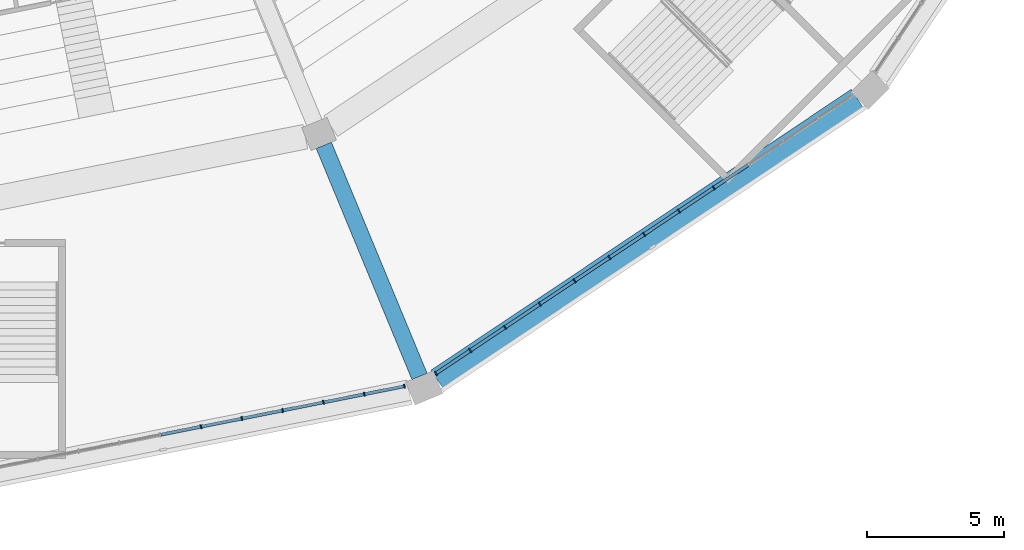
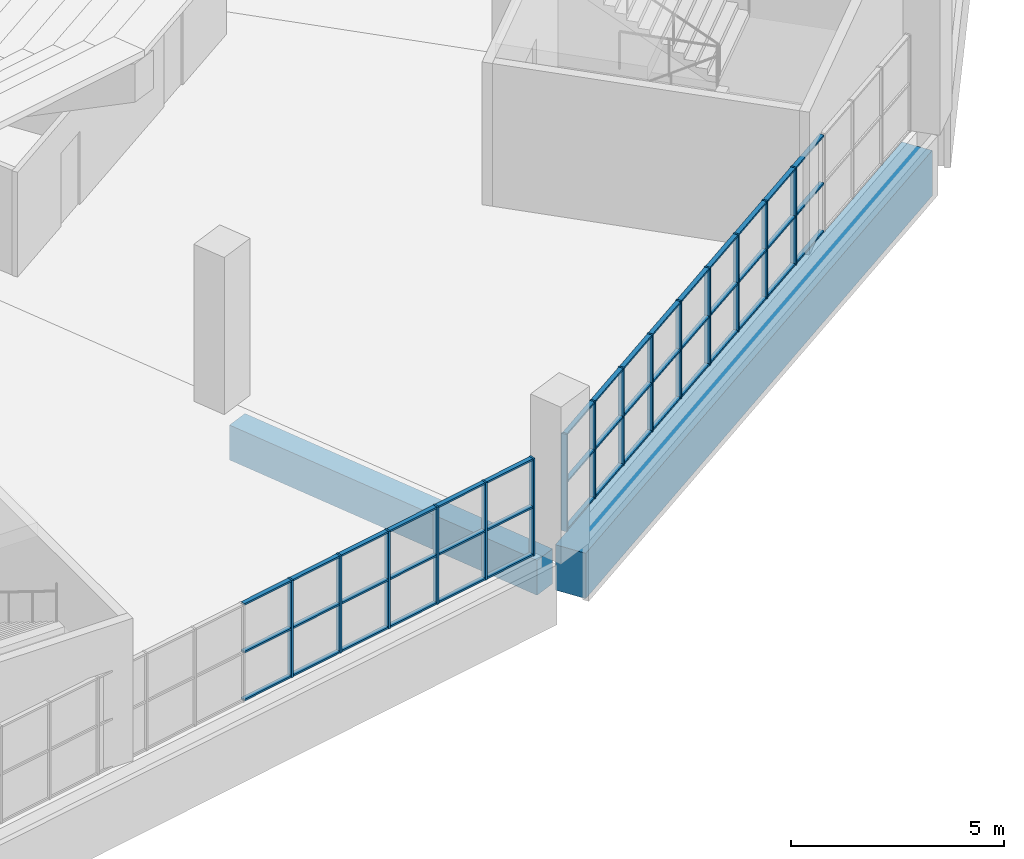
# One storey, part 26 of 249: 60 members, 2 beams, 2 elements without a shape of their own.
"""IFC4 building model written with IfcOpenShell, lengths in metres."""

from ifc_helpers import new_model, si_unit, direction, frame, origin, origin_2d, place, context, subcontext, project, spatial, rectangle, extrude, material, material_profile, profile_set, type_object, element, aggregate, save


model = new_model("IFC4")

# Units and contexts
model_context = context("Model", 3, precision=1e-05, world=origin(), true_north=direction((0.0, 1.0)))
body_context = subcontext(model_context, "Body", "Model", "MODEL_VIEW")
ifc_project = project(units=[si_unit("LENGTHUNIT", "METRE"), si_unit("AREAUNIT", "SQUARE_METRE"), si_unit("VOLUMEUNIT", "CUBIC_METRE"), si_unit("PLANEANGLEUNIT", "RADIAN"), si_unit("MASSUNIT", "GRAM", prefix="KILO")], contexts=[model_context])

# Site, building, storey
site_placement = place(None, origin())
site = spatial("IfcSite", under=ifc_project, at=site_placement, CompositionType="ELEMENT")
building_placement = place(site_placement, origin())
building = spatial("IfcBuilding", under=site, at=building_placement, Name="Ogive Plaza Stadium", CompositionType="ELEMENT")
storey_placement = place(building_placement, frame((0.0, 0.0, 13.5)))
storey = spatial("IfcBuildingStorey", under=building, at=storey_placement, Name="L03", CompositionType="ELEMENT", Elevation=13.5)

# Curtain wall, members
ifc_material_1 = material(Name="Bronze-anodised aluminium with laminated glass", Category="aluminium")
curtain_wall_type = type_object("IfcCurtainWallType", Name="Lancet curtain wall", PredefinedType="NOTDEFINED", material=ifc_material_1)
curtain_wall_1_placement = place(storey_placement, origin())
curtain_wall_1 = element("IfcCurtainWall", 1, at=curtain_wall_1_placement, inside=storey, type_object=curtain_wall_type, Name="CURTAIN WALL B10 L03", PredefinedType="NOTDEFINED")
ifc_material_2 = material(Name="Bronze-anodised aluminium", Category="aluminium")
ifc_material_profile_1 = material_profile(ifc_material_2, rectangle(XDim=0.14990234375, YDim=0.050048828125, at=origin_2d()), Name="AL 150x50")
ifc_profile_set_1 = profile_set([ifc_material_profile_1], Name="Bronze-anodised aluminium")
member_type_1 = type_object("IfcMemberType", Name="Curtain wall mullion 50x150", PredefinedType="MULLION", material=ifc_profile_set_1)
member_1_placement = place(storey_placement, frame((63.665283203125, -91.416748046875, 0.0), z_axis=(0.0, 0.0, 1.0), x_axis=(0.55557023302, -0.831469612303, 0.0)))
member_1 = element("IfcMember", 2, at=member_1_placement, type_object=member_type_1, Name="CW-B10-L03 mullion 5", PredefinedType="MULLION", context=body_context, shape_type="SweptSolid", body=[
    extrude(rectangle(XDim=0.14990234375, YDim=0.050048828125, at=origin_2d()), origin(), (0.0, 0.0, 1.0), 2.7900390625),
])
member_2_placement = place(storey_placement, frame((62.3994140625, -92.2626953125, 0.0), z_axis=(0.0, 0.0, 1.0), x_axis=(0.55557023302, -0.831469612303, 0.0)))
member_2 = element("IfcMember", 3, at=member_2_placement, type_object=member_type_1, Name="CW-B10-L03 mullion 6", PredefinedType="MULLION", context=body_context, shape_type="SweptSolid", body=[
    extrude(rectangle(XDim=0.14990234375, YDim=0.050048828125, at=origin_2d()), origin(), (0.0, 0.0, 1.0), 2.7900390625),
])
member_3_placement = place(storey_placement, frame((61.133544921875, -93.1083984375, 0.0), z_axis=(0.0, 0.0, 1.0), x_axis=(0.55557023302, -0.831469612303, 0.0)))
member_3 = element("IfcMember", 4, at=member_3_placement, type_object=member_type_1, Name="CW-B10-L03 mullion 7", PredefinedType="MULLION", context=body_context, shape_type="SweptSolid", body=[
    extrude(rectangle(XDim=0.14990234375, YDim=0.050048828125, at=origin_2d()), origin(), (0.0, 0.0, 1.0), 2.7900390625),
])
member_4_placement = place(storey_placement, frame((59.867919921875, -93.9541015625, 0.0), z_axis=(0.0, 0.0, 1.0), x_axis=(0.55557023302, -0.831469612303, 0.0)))
member_4 = element("IfcMember", 5, at=member_4_placement, type_object=member_type_1, Name="CW-B10-L03 mullion 8", PredefinedType="MULLION", context=body_context, shape_type="SweptSolid", body=[
    extrude(rectangle(XDim=0.14990234375, YDim=0.050048828125, at=origin_2d()), origin(), (0.0, 0.0, 1.0), 2.7900390625),
])
member_5_placement = place(storey_placement, frame((58.60205078125, -94.7998046875, 0.0), z_axis=(0.0, 0.0, 1.0), x_axis=(0.55557023302, -0.831469612303, 0.0)))
member_5 = element("IfcMember", 6, at=member_5_placement, type_object=member_type_1, Name="CW-B10-L03 mullion 9", PredefinedType="MULLION", context=body_context, shape_type="SweptSolid", body=[
    extrude(rectangle(XDim=0.14990234375, YDim=0.050048828125, at=origin_2d()), origin(), (0.0, 0.0, 1.0), 2.7900390625),
])
member_6_placement = place(storey_placement, frame((57.336181640625, -95.645751953125, 0.0), z_axis=(0.0, 0.0, 1.0), x_axis=(0.55557023302, -0.831469612303, 0.0)))
member_6 = element("IfcMember", 7, at=member_6_placement, type_object=member_type_1, Name="CW-B10-L03 mullion 10", PredefinedType="MULLION", context=body_context, shape_type="SweptSolid", body=[
    extrude(rectangle(XDim=0.14990234375, YDim=0.050048828125, at=origin_2d()), origin(), (0.0, 0.0, 1.0), 2.7900390625),
])
member_7_placement = place(storey_placement, frame((56.070556640625, -96.491455078125, 0.0), z_axis=(0.0, 0.0, 1.0), x_axis=(0.55557023302, -0.831469612303, 0.0)))
member_7 = element("IfcMember", 8, at=member_7_placement, type_object=member_type_1, Name="CW-B10-L03 mullion 11", PredefinedType="MULLION", context=body_context, shape_type="SweptSolid", body=[
    extrude(rectangle(XDim=0.14990234375, YDim=0.050048828125, at=origin_2d()), origin(), (0.0, 0.0, 1.0), 2.7900390625),
])
member_8_placement = place(storey_placement, frame((54.8046875, -97.337158203125, 0.0), z_axis=(0.0, 0.0, 1.0), x_axis=(0.55557023302, -0.831469612303, 0.0)))
member_8 = element("IfcMember", 9, at=member_8_placement, type_object=member_type_1, Name="CW-B10-L03 mullion 12", PredefinedType="MULLION", context=body_context, shape_type="SweptSolid", body=[
    extrude(rectangle(XDim=0.14990234375, YDim=0.050048828125, at=origin_2d()), origin(), (0.0, 0.0, 1.0), 2.7900390625),
])
member_9_placement = place(storey_placement, frame((53.559814453125, -98.169189453125, 0.0), z_axis=(0.0, 0.0, 1.0), x_axis=(0.55557023302, -0.831469612303, 0.0)))
member_9 = element("IfcMember", 10, at=member_9_placement, type_object=member_type_1, Name="CW-B10-L03 mullion 13", PredefinedType="MULLION", context=body_context, shape_type="SweptSolid", body=[
    extrude(rectangle(XDim=0.14990234375, YDim=0.050048828125, at=origin_2d()), origin(), (0.0, 0.0, 1.0), 2.7900390625),
])

curtain_wall_2_placement = place(storey_placement, origin())
curtain_wall_2 = element("IfcCurtainWall", 11, at=curtain_wall_2_placement, inside=storey, type_object=curtain_wall_type, Name="CURTAIN WALL B11 L03", PredefinedType="NOTDEFINED")
member_10_placement = place(storey_placement, frame((52.412109375, -98.6337890625, 0.0), z_axis=(0.0, 0.0, 1.0), x_axis=(0.195090322016, -0.980785280403, 0.0)))
member_10 = element("IfcMember", 12, at=member_10_placement, type_object=member_type_1, Name="CW-B11-L03 mullion 1", PredefinedType="MULLION", context=body_context, shape_type="SweptSolid", body=[
    extrude(rectangle(XDim=0.14990234375, YDim=0.050048828125, at=origin_2d()), origin(), (0.0, 0.0, 1.0), 2.7900390625),
])
member_11_placement = place(storey_placement, frame((50.951904296875, -98.924072265625, 0.0), z_axis=(0.0, 0.0, 1.0), x_axis=(0.195090322016, -0.980785280403, 0.0)))
member_11 = element("IfcMember", 13, at=member_11_placement, type_object=member_type_1, Name="CW-B11-L03 mullion 2", PredefinedType="MULLION", context=body_context, shape_type="SweptSolid", body=[
    extrude(rectangle(XDim=0.14990234375, YDim=0.050048828125, at=origin_2d()), origin(), (0.0, 0.0, 1.0), 2.7900390625),
])
member_12_placement = place(storey_placement, frame((49.467041015625, -99.219482421875, 0.0), z_axis=(0.0, 0.0, 1.0), x_axis=(0.195090322016, -0.980785280403, 0.0)))
member_12 = element("IfcMember", 14, at=member_12_placement, type_object=member_type_1, Name="CW-B11-L03 mullion 3", PredefinedType="MULLION", context=body_context, shape_type="SweptSolid", body=[
    extrude(rectangle(XDim=0.14990234375, YDim=0.050048828125, at=origin_2d()), origin(), (0.0, 0.0, 1.0), 2.7900390625),
])
member_13_placement = place(storey_placement, frame((47.982421875, -99.514892578125, 0.0), z_axis=(0.0, 0.0, 1.0), x_axis=(0.195090322016, -0.980785280403, 0.0)))
member_13 = element("IfcMember", 15, at=member_13_placement, type_object=member_type_1, Name="CW-B11-L03 mullion 4", PredefinedType="MULLION", context=body_context, shape_type="SweptSolid", body=[
    extrude(rectangle(XDim=0.14990234375, YDim=0.050048828125, at=origin_2d()), origin(), (0.0, 0.0, 1.0), 2.7900390625),
])
member_14_placement = place(storey_placement, frame((46.49755859375, -99.81005859375, 0.0), z_axis=(0.0, 0.0, 1.0), x_axis=(0.195090322016, -0.980785280403, 0.0)))
member_14 = element("IfcMember", 16, at=member_14_placement, type_object=member_type_1, Name="CW-B11-L03 mullion 5", PredefinedType="MULLION", context=body_context, shape_type="SweptSolid", body=[
    extrude(rectangle(XDim=0.14990234375, YDim=0.050048828125, at=origin_2d()), origin(), (0.0, 0.0, 1.0), 2.7900390625),
])
member_15_placement = place(storey_placement, frame((45.012939453125, -100.10546875, 0.0), z_axis=(0.0, 0.0, 1.0), x_axis=(0.195090322016, -0.980785280403, 0.0)))
member_15 = element("IfcMember", 17, at=member_15_placement, type_object=member_type_1, Name="CW-B11-L03 mullion 6", PredefinedType="MULLION", context=body_context, shape_type="SweptSolid", body=[
    extrude(rectangle(XDim=0.14990234375, YDim=0.050048828125, at=origin_2d()), origin(), (0.0, 0.0, 1.0), 2.7900390625),
])

# Member
ifc_material_3 = material(Name="Bronze-anodised aluminium", Category="aluminium")
ifc_material_profile_2 = material_profile(ifc_material_3, rectangle(XDim=0.1201171875, YDim=0.050048828125, at=origin_2d()), Name="AL 120x50")
ifc_profile_set_2 = profile_set([ifc_material_profile_2], Name="Bronze-anodised aluminium")
member_type_2 = type_object("IfcMemberType", Name="Curtain wall transom 50x120", PredefinedType="USERDEFINED", material=ifc_profile_set_2)
member_16_placement = place(storey_placement, frame((64.91015625, -90.5849609375, 0.02490234375), z_axis=(-0.831488586159, -0.555541835587, 0.0), x_axis=(0.555541835587, -0.831488586159, 0.0)))
member_16 = element("IfcMember", 18, at=member_16_placement, type_object=member_type_2, Name="CW-B10-L03 transom 4.1", ObjectType="TRANSOM", PredefinedType="USERDEFINED", context=body_context, shape_type="SweptSolid", body=[
    extrude(rectangle(XDim=0.1201171875, YDim=0.050048828125, at=origin_2d()), origin(), (0.0, 0.0, 1.0), 1.47216796875),
])

member_17_placement = place(storey_placement, frame((64.91015625, -90.5849609375, 1.39501953125), z_axis=(-0.831488586159, -0.555541835587, 0.0), x_axis=(0.555541835587, -0.831488586159, 0.0)))
member_17 = element("IfcMember", 19, at=member_17_placement, type_object=member_type_2, Name="CW-B10-L03 transom 4.2", ObjectType="TRANSOM", PredefinedType="USERDEFINED", context=body_context, shape_type="SweptSolid", body=[
    extrude(rectangle(XDim=0.1201171875, YDim=0.050048828125, at=origin_2d()), origin(), (0.0, 0.0, 1.0), 1.47216796875),
])

member_18_placement = place(storey_placement, frame((64.91015625, -90.5849609375, 2.764892578125), z_axis=(-0.831488586159, -0.555541835587, 0.0), x_axis=(0.555541835587, -0.831488586159, 0.0)))
member_18 = element("IfcMember", 20, at=member_18_placement, type_object=member_type_2, Name="CW-B10-L03 transom 4.3", ObjectType="TRANSOM", PredefinedType="USERDEFINED", context=body_context, shape_type="SweptSolid", body=[
    extrude(rectangle(XDim=0.1201171875, YDim=0.050048828125, at=origin_2d()), origin(), (0.0, 0.0, 1.0), 1.47216796875),
])

member_19_placement = place(storey_placement, frame((63.64453125, -91.4306640625, 0.02490234375), z_axis=(-0.831463168883, -0.555579876157, 0.0), x_axis=(0.555579876157, -0.831463168883, 0.0)))
member_19 = element("IfcMember", 21, at=member_19_placement, type_object=member_type_2, Name="CW-B10-L03 transom 5.1", ObjectType="TRANSOM", PredefinedType="USERDEFINED", context=body_context, shape_type="SweptSolid", body=[
    extrude(rectangle(XDim=0.1201171875, YDim=0.050048828125, at=origin_2d()), origin(), (0.0, 0.0, 1.0), 1.47265625),
])

member_20_placement = place(storey_placement, frame((63.64453125, -91.4306640625, 1.39501953125), z_axis=(-0.831463168883, -0.555579876157, 0.0), x_axis=(0.555579876157, -0.831463168883, 0.0)))
member_20 = element("IfcMember", 22, at=member_20_placement, type_object=member_type_2, Name="CW-B10-L03 transom 5.2", ObjectType="TRANSOM", PredefinedType="USERDEFINED", context=body_context, shape_type="SweptSolid", body=[
    extrude(rectangle(XDim=0.1201171875, YDim=0.050048828125, at=origin_2d()), origin(), (0.0, 0.0, 1.0), 1.47265625),
])

member_21_placement = place(storey_placement, frame((63.64453125, -91.4306640625, 2.764892578125), z_axis=(-0.831463168883, -0.555579876157, 0.0), x_axis=(0.555579876157, -0.831463168883, 0.0)))
member_21 = element("IfcMember", 23, at=member_21_placement, type_object=member_type_2, Name="CW-B10-L03 transom 5.3", ObjectType="TRANSOM", PredefinedType="USERDEFINED", context=body_context, shape_type="SweptSolid", body=[
    extrude(rectangle(XDim=0.1201171875, YDim=0.050048828125, at=origin_2d()), origin(), (0.0, 0.0, 1.0), 1.47265625),
])

member_22_placement = place(storey_placement, frame((62.378662109375, -92.2763671875, 0.02490234375), z_axis=(-0.831411982446, -0.555656472512, 0.0), x_axis=(0.555656472512, -0.831411982446, 0.0)))
member_22 = element("IfcMember", 24, at=member_22_placement, type_object=member_type_2, Name="CW-B10-L03 transom 6.1", ObjectType="TRANSOM", PredefinedType="USERDEFINED", context=body_context, shape_type="SweptSolid", body=[
    extrude(rectangle(XDim=0.1201171875, YDim=0.050048828125, at=origin_2d()), origin(), (0.0, 0.0, 1.0), 1.472412109375),
])

member_23_placement = place(storey_placement, frame((62.378662109375, -92.2763671875, 1.39501953125), z_axis=(-0.831411982446, -0.555656472512, 0.0), x_axis=(0.555656472512, -0.831411982446, 0.0)))
member_23 = element("IfcMember", 25, at=member_23_placement, type_object=member_type_2, Name="CW-B10-L03 transom 6.2", ObjectType="TRANSOM", PredefinedType="USERDEFINED", context=body_context, shape_type="SweptSolid", body=[
    extrude(rectangle(XDim=0.1201171875, YDim=0.050048828125, at=origin_2d()), origin(), (0.0, 0.0, 1.0), 1.472412109375),
])

member_24_placement = place(storey_placement, frame((62.378662109375, -92.2763671875, 2.764892578125), z_axis=(-0.831411982446, -0.555656472512, 0.0), x_axis=(0.555656472512, -0.831411982446, 0.0)))
member_24 = element("IfcMember", 26, at=member_24_placement, type_object=member_type_2, Name="CW-B10-L03 transom 6.3", ObjectType="TRANSOM", PredefinedType="USERDEFINED", context=body_context, shape_type="SweptSolid", body=[
    extrude(rectangle(XDim=0.1201171875, YDim=0.050048828125, at=origin_2d()), origin(), (0.0, 0.0, 1.0), 1.472412109375),
])

member_25_placement = place(storey_placement, frame((61.11279296875, -93.122314453125, 0.02490234375), z_axis=(-0.831488586159, -0.555541835587, 0.0), x_axis=(0.555541835587, -0.831488586159, 0.0)))
member_25 = element("IfcMember", 27, at=member_25_placement, type_object=member_type_2, Name="CW-B10-L03 transom 7.1", ObjectType="TRANSOM", PredefinedType="USERDEFINED", context=body_context, shape_type="SweptSolid", body=[
    extrude(rectangle(XDim=0.1201171875, YDim=0.050048828125, at=origin_2d()), origin(), (0.0, 0.0, 1.0), 1.47216796875),
])

member_26_placement = place(storey_placement, frame((61.11279296875, -93.122314453125, 1.39501953125), z_axis=(-0.831488586159, -0.555541835587, 0.0), x_axis=(0.555541835587, -0.831488586159, 0.0)))
member_26 = element("IfcMember", 28, at=member_26_placement, type_object=member_type_2, Name="CW-B10-L03 transom 7.2", ObjectType="TRANSOM", PredefinedType="USERDEFINED", context=body_context, shape_type="SweptSolid", body=[
    extrude(rectangle(XDim=0.1201171875, YDim=0.050048828125, at=origin_2d()), origin(), (0.0, 0.0, 1.0), 1.47216796875),
])

member_27_placement = place(storey_placement, frame((61.11279296875, -93.122314453125, 2.764892578125), z_axis=(-0.831488586159, -0.555541835587, 0.0), x_axis=(0.555541835587, -0.831488586159, 0.0)))
member_27 = element("IfcMember", 29, at=member_27_placement, type_object=member_type_2, Name="CW-B10-L03 transom 7.3", ObjectType="TRANSOM", PredefinedType="USERDEFINED", context=body_context, shape_type="SweptSolid", body=[
    extrude(rectangle(XDim=0.1201171875, YDim=0.050048828125, at=origin_2d()), origin(), (0.0, 0.0, 1.0), 1.47216796875),
])

member_28_placement = place(storey_placement, frame((59.84716796875, -93.968017578125, 0.02490234375), z_axis=(-0.831463168883, -0.555579876157, 0.0), x_axis=(0.555579876157, -0.831463168883, 0.0)))
member_28 = element("IfcMember", 30, at=member_28_placement, type_object=member_type_2, Name="CW-B10-L03 transom 8.1", ObjectType="TRANSOM", PredefinedType="USERDEFINED", context=body_context, shape_type="SweptSolid", body=[
    extrude(rectangle(XDim=0.1201171875, YDim=0.050048828125, at=origin_2d()), origin(), (0.0, 0.0, 1.0), 1.47265625),
])

member_29_placement = place(storey_placement, frame((59.84716796875, -93.968017578125, 1.39501953125), z_axis=(-0.831463168883, -0.555579876157, 0.0), x_axis=(0.555579876157, -0.831463168883, 0.0)))
member_29 = element("IfcMember", 31, at=member_29_placement, type_object=member_type_2, Name="CW-B10-L03 transom 8.2", ObjectType="TRANSOM", PredefinedType="USERDEFINED", context=body_context, shape_type="SweptSolid", body=[
    extrude(rectangle(XDim=0.1201171875, YDim=0.050048828125, at=origin_2d()), origin(), (0.0, 0.0, 1.0), 1.47265625),
])

member_30_placement = place(storey_placement, frame((59.84716796875, -93.968017578125, 2.764892578125), z_axis=(-0.831463168883, -0.555579876157, 0.0), x_axis=(0.555579876157, -0.831463168883, 0.0)))
member_30 = element("IfcMember", 32, at=member_30_placement, type_object=member_type_2, Name="CW-B10-L03 transom 8.3", ObjectType="TRANSOM", PredefinedType="USERDEFINED", context=body_context, shape_type="SweptSolid", body=[
    extrude(rectangle(XDim=0.1201171875, YDim=0.050048828125, at=origin_2d()), origin(), (0.0, 0.0, 1.0), 1.47265625),
])

member_31_placement = place(storey_placement, frame((58.581298828125, -94.813720703125, 0.02490234375), z_axis=(-0.831411982446, -0.555656472512, 0.0), x_axis=(0.555656472512, -0.831411982446, 0.0)))
member_31 = element("IfcMember", 33, at=member_31_placement, type_object=member_type_2, Name="CW-B10-L03 transom 9.1", ObjectType="TRANSOM", PredefinedType="USERDEFINED", context=body_context, shape_type="SweptSolid", body=[
    extrude(rectangle(XDim=0.1201171875, YDim=0.050048828125, at=origin_2d()), origin(), (0.0, 0.0, 1.0), 1.472412109375),
])

member_32_placement = place(storey_placement, frame((58.581298828125, -94.813720703125, 1.39501953125), z_axis=(-0.831411982446, -0.555656472512, 0.0), x_axis=(0.555656472512, -0.831411982446, 0.0)))
member_32 = element("IfcMember", 34, at=member_32_placement, type_object=member_type_2, Name="CW-B10-L03 transom 9.2", ObjectType="TRANSOM", PredefinedType="USERDEFINED", context=body_context, shape_type="SweptSolid", body=[
    extrude(rectangle(XDim=0.1201171875, YDim=0.050048828125, at=origin_2d()), origin(), (0.0, 0.0, 1.0), 1.472412109375),
])

member_33_placement = place(storey_placement, frame((58.581298828125, -94.813720703125, 2.764892578125), z_axis=(-0.831411982446, -0.555656472512, 0.0), x_axis=(0.555656472512, -0.831411982446, 0.0)))
member_33 = element("IfcMember", 35, at=member_33_placement, type_object=member_type_2, Name="CW-B10-L03 transom 9.3", ObjectType="TRANSOM", PredefinedType="USERDEFINED", context=body_context, shape_type="SweptSolid", body=[
    extrude(rectangle(XDim=0.1201171875, YDim=0.050048828125, at=origin_2d()), origin(), (0.0, 0.0, 1.0), 1.472412109375),
])

member_34_placement = place(storey_placement, frame((57.3154296875, -95.65966796875, 0.02490234375), z_axis=(-0.831488586159, -0.555541835587, 0.0), x_axis=(0.555541835587, -0.831488586159, 0.0)))
member_34 = element("IfcMember", 36, at=member_34_placement, type_object=member_type_2, Name="CW-B10-L03 transom 10.1", ObjectType="TRANSOM", PredefinedType="USERDEFINED", context=body_context, shape_type="SweptSolid", body=[
    extrude(rectangle(XDim=0.1201171875, YDim=0.050048828125, at=origin_2d()), origin(), (0.0, 0.0, 1.0), 1.47216796875),
])

member_35_placement = place(storey_placement, frame((57.3154296875, -95.65966796875, 1.39501953125), z_axis=(-0.831488586159, -0.555541835587, 0.0), x_axis=(0.555541835587, -0.831488586159, 0.0)))
member_35 = element("IfcMember", 37, at=member_35_placement, type_object=member_type_2, Name="CW-B10-L03 transom 10.2", ObjectType="TRANSOM", PredefinedType="USERDEFINED", context=body_context, shape_type="SweptSolid", body=[
    extrude(rectangle(XDim=0.1201171875, YDim=0.050048828125, at=origin_2d()), origin(), (0.0, 0.0, 1.0), 1.47216796875),
])

member_36_placement = place(storey_placement, frame((57.3154296875, -95.65966796875, 2.764892578125), z_axis=(-0.831488586159, -0.555541835587, 0.0), x_axis=(0.555541835587, -0.831488586159, 0.0)))
member_36 = element("IfcMember", 38, at=member_36_placement, type_object=member_type_2, Name="CW-B10-L03 transom 10.3", ObjectType="TRANSOM", PredefinedType="USERDEFINED", context=body_context, shape_type="SweptSolid", body=[
    extrude(rectangle(XDim=0.1201171875, YDim=0.050048828125, at=origin_2d()), origin(), (0.0, 0.0, 1.0), 1.47216796875),
])

member_37_placement = place(storey_placement, frame((56.0498046875, -96.50537109375, 0.02490234375), z_axis=(-0.83153975619, -0.555465240925, 0.0), x_axis=(0.555465240925, -0.83153975619, 0.0)))
member_37 = element("IfcMember", 39, at=member_37_placement, type_object=member_type_2, Name="CW-B10-L03 transom 11.1", ObjectType="TRANSOM", PredefinedType="USERDEFINED", context=body_context, shape_type="SweptSolid", body=[
    extrude(rectangle(XDim=0.1201171875, YDim=0.050048828125, at=origin_2d()), origin(), (0.0, 0.0, 1.0), 1.472412109375),
])

member_38_placement = place(storey_placement, frame((56.0498046875, -96.50537109375, 1.39501953125), z_axis=(-0.83153975619, -0.555465240925, 0.0), x_axis=(0.555465240925, -0.83153975619, 0.0)))
member_38 = element("IfcMember", 40, at=member_38_placement, type_object=member_type_2, Name="CW-B10-L03 transom 11.2", ObjectType="TRANSOM", PredefinedType="USERDEFINED", context=body_context, shape_type="SweptSolid", body=[
    extrude(rectangle(XDim=0.1201171875, YDim=0.050048828125, at=origin_2d()), origin(), (0.0, 0.0, 1.0), 1.472412109375),
])

member_39_placement = place(storey_placement, frame((56.0498046875, -96.50537109375, 2.764892578125), z_axis=(-0.83153975619, -0.555465240925, 0.0), x_axis=(0.555465240925, -0.83153975619, 0.0)))
member_39 = element("IfcMember", 41, at=member_39_placement, type_object=member_type_2, Name="CW-B10-L03 transom 11.3", ObjectType="TRANSOM", PredefinedType="USERDEFINED", context=body_context, shape_type="SweptSolid", body=[
    extrude(rectangle(XDim=0.1201171875, YDim=0.050048828125, at=origin_2d()), origin(), (0.0, 0.0, 1.0), 1.472412109375),
])

member_40_placement = place(storey_placement, frame((54.783935546875, -97.35107421875, 0.02490234375), z_axis=(-0.831426948977, -0.555634077892, 0.0), x_axis=(0.555634077892, -0.831426948977, 0.0)))
member_40 = element("IfcMember", 42, at=member_40_placement, type_object=member_type_2, Name="CW-B10-L03 transom 12.1", ObjectType="TRANSOM", PredefinedType="USERDEFINED", context=body_context, shape_type="SweptSolid", body=[
    extrude(rectangle(XDim=0.1201171875, YDim=0.050048828125, at=origin_2d()), origin(), (0.0, 0.0, 1.0), 1.447265625),
])

member_41_placement = place(storey_placement, frame((54.783935546875, -97.35107421875, 1.39501953125), z_axis=(-0.831426948977, -0.555634077892, 0.0), x_axis=(0.555634077892, -0.831426948977, 0.0)))
member_41 = element("IfcMember", 43, at=member_41_placement, type_object=member_type_2, Name="CW-B10-L03 transom 12.2", ObjectType="TRANSOM", PredefinedType="USERDEFINED", context=body_context, shape_type="SweptSolid", body=[
    extrude(rectangle(XDim=0.1201171875, YDim=0.050048828125, at=origin_2d()), origin(), (0.0, 0.0, 1.0), 1.447265625),
])

member_42_placement = place(storey_placement, frame((54.783935546875, -97.35107421875, 2.764892578125), z_axis=(-0.831426948977, -0.555634077892, 0.0), x_axis=(0.555634077892, -0.831426948977, 0.0)))
member_42 = element("IfcMember", 44, at=member_42_placement, type_object=member_type_2, Name="CW-B10-L03 transom 12.3", ObjectType="TRANSOM", PredefinedType="USERDEFINED", context=body_context, shape_type="SweptSolid", body=[
    extrude(rectangle(XDim=0.1201171875, YDim=0.050048828125, at=origin_2d()), origin(), (0.0, 0.0, 1.0), 1.447265625),
])

aggregate(curtain_wall_1, [member_1, member_2, member_3, member_4, member_5, member_6, member_7, member_8, member_9, member_16, member_17, member_18, member_19, member_20, member_21, member_22, member_23, member_24, member_25, member_26, member_27, member_28, member_29, member_30, member_31, member_32, member_33, member_34, member_35, member_36, member_37, member_38, member_39, member_40, member_41, member_42])

member_43_placement = place(storey_placement, frame((52.3876953125, -98.638671875, 0.02490234375), z_axis=(-0.980814888552, -0.194941412722, 0.0), x_axis=(0.194941412722, -0.980814888552, 0.0)))
member_43 = element("IfcMember", 45, at=member_43_placement, type_object=member_type_2, Name="CW-B11-L03 transom 1.1", ObjectType="TRANSOM", PredefinedType="USERDEFINED", context=body_context, shape_type="SweptSolid", body=[
    extrude(rectangle(XDim=0.1201171875, YDim=0.050048828125, at=origin_2d()), origin(), (0.0, 0.0, 1.0), 1.43896484375),
])

member_44_placement = place(storey_placement, frame((52.3876953125, -98.638671875, 1.39501953125), z_axis=(-0.980814888552, -0.194941412722, 0.0), x_axis=(0.194941412722, -0.980814888552, 0.0)))
member_44 = element("IfcMember", 46, at=member_44_placement, type_object=member_type_2, Name="CW-B11-L03 transom 1.2", ObjectType="TRANSOM", PredefinedType="USERDEFINED", context=body_context, shape_type="SweptSolid", body=[
    extrude(rectangle(XDim=0.1201171875, YDim=0.050048828125, at=origin_2d()), origin(), (0.0, 0.0, 1.0), 1.43896484375),
])

member_45_placement = place(storey_placement, frame((52.3876953125, -98.638671875, 2.764892578125), z_axis=(-0.980814888552, -0.194941412722, 0.0), x_axis=(0.194941412722, -0.980814888552, 0.0)))
member_45 = element("IfcMember", 47, at=member_45_placement, type_object=member_type_2, Name="CW-B11-L03 transom 1.3", ObjectType="TRANSOM", PredefinedType="USERDEFINED", context=body_context, shape_type="SweptSolid", body=[
    extrude(rectangle(XDim=0.1201171875, YDim=0.050048828125, at=origin_2d()), origin(), (0.0, 0.0, 1.0), 1.43896484375),
])

member_46_placement = place(storey_placement, frame((50.92724609375, -98.928955078125, 0.02490234375), z_axis=(-0.980772662828, -0.195153744134, 0.0), x_axis=(0.195153744134, -0.980772662828, 0.0)))
member_46 = element("IfcMember", 48, at=member_46_placement, type_object=member_type_2, Name="CW-B11-L03 transom 2.1", ObjectType="TRANSOM", PredefinedType="USERDEFINED", context=body_context, shape_type="SweptSolid", body=[
    extrude(rectangle(XDim=0.1201171875, YDim=0.050048828125, at=origin_2d()), origin(), (0.0, 0.0, 1.0), 1.463623046875),
])

member_47_placement = place(storey_placement, frame((50.92724609375, -98.928955078125, 1.39501953125), z_axis=(-0.980772662828, -0.195153744134, 0.0), x_axis=(0.195153744134, -0.980772662828, 0.0)))
member_47 = element("IfcMember", 49, at=member_47_placement, type_object=member_type_2, Name="CW-B11-L03 transom 2.2", ObjectType="TRANSOM", PredefinedType="USERDEFINED", context=body_context, shape_type="SweptSolid", body=[
    extrude(rectangle(XDim=0.1201171875, YDim=0.050048828125, at=origin_2d()), origin(), (0.0, 0.0, 1.0), 1.463623046875),
])

member_48_placement = place(storey_placement, frame((50.92724609375, -98.928955078125, 2.764892578125), z_axis=(-0.980772662828, -0.195153744134, 0.0), x_axis=(0.195153744134, -0.980772662828, 0.0)))
member_48 = element("IfcMember", 50, at=member_48_placement, type_object=member_type_2, Name="CW-B11-L03 transom 2.3", ObjectType="TRANSOM", PredefinedType="USERDEFINED", context=body_context, shape_type="SweptSolid", body=[
    extrude(rectangle(XDim=0.1201171875, YDim=0.050048828125, at=origin_2d()), origin(), (0.0, 0.0, 1.0), 1.463623046875),
])

member_49_placement = place(storey_placement, frame((49.442626953125, -99.224365234375, 0.02490234375), z_axis=(-0.980779013771, -0.195121823859, 0.0), x_axis=(0.195121823859, -0.980779013771, 0.0)))
member_49 = element("IfcMember", 51, at=member_49_placement, type_object=member_type_2, Name="CW-B11-L03 transom 3.1", ObjectType="TRANSOM", PredefinedType="USERDEFINED", context=body_context, shape_type="SweptSolid", body=[
    extrude(rectangle(XDim=0.1201171875, YDim=0.050048828125, at=origin_2d()), origin(), (0.0, 0.0, 1.0), 1.4638671875),
])

member_50_placement = place(storey_placement, frame((49.442626953125, -99.224365234375, 1.39501953125), z_axis=(-0.980779013771, -0.195121823859, 0.0), x_axis=(0.195121823859, -0.980779013771, 0.0)))
member_50 = element("IfcMember", 52, at=member_50_placement, type_object=member_type_2, Name="CW-B11-L03 transom 3.2", ObjectType="TRANSOM", PredefinedType="USERDEFINED", context=body_context, shape_type="SweptSolid", body=[
    extrude(rectangle(XDim=0.1201171875, YDim=0.050048828125, at=origin_2d()), origin(), (0.0, 0.0, 1.0), 1.4638671875),
])

member_51_placement = place(storey_placement, frame((49.442626953125, -99.224365234375, 2.764892578125), z_axis=(-0.980779013771, -0.195121823859, 0.0), x_axis=(0.195121823859, -0.980779013771, 0.0)))
member_51 = element("IfcMember", 53, at=member_51_placement, type_object=member_type_2, Name="CW-B11-L03 transom 3.3", ObjectType="TRANSOM", PredefinedType="USERDEFINED", context=body_context, shape_type="SweptSolid", body=[
    extrude(rectangle(XDim=0.1201171875, YDim=0.050048828125, at=origin_2d()), origin(), (0.0, 0.0, 1.0), 1.4638671875),
])

member_52_placement = place(storey_placement, frame((47.957763671875, -99.519775390625, 0.02490234375), z_axis=(-0.980804576136, -0.194993290732, 0.0), x_axis=(0.194993290732, -0.980804576136, 0.0)))
member_52 = element("IfcMember", 54, at=member_52_placement, type_object=member_type_2, Name="CW-B11-L03 transom 4.1", ObjectType="TRANSOM", PredefinedType="USERDEFINED", context=body_context, shape_type="SweptSolid", body=[
    extrude(rectangle(XDim=0.1201171875, YDim=0.050048828125, at=origin_2d()), origin(), (0.0, 0.0, 1.0), 1.463623046875),
])

member_53_placement = place(storey_placement, frame((47.957763671875, -99.519775390625, 1.39501953125), z_axis=(-0.980804576136, -0.194993290732, 0.0), x_axis=(0.194993290732, -0.980804576136, 0.0)))
member_53 = element("IfcMember", 55, at=member_53_placement, type_object=member_type_2, Name="CW-B11-L03 transom 4.2", ObjectType="TRANSOM", PredefinedType="USERDEFINED", context=body_context, shape_type="SweptSolid", body=[
    extrude(rectangle(XDim=0.1201171875, YDim=0.050048828125, at=origin_2d()), origin(), (0.0, 0.0, 1.0), 1.463623046875),
])

member_54_placement = place(storey_placement, frame((47.957763671875, -99.519775390625, 2.764892578125), z_axis=(-0.980804576136, -0.194993290732, 0.0), x_axis=(0.194993290732, -0.980804576136, 0.0)))
member_54 = element("IfcMember", 56, at=member_54_placement, type_object=member_type_2, Name="CW-B11-L03 transom 4.3", ObjectType="TRANSOM", PredefinedType="USERDEFINED", context=body_context, shape_type="SweptSolid", body=[
    extrude(rectangle(XDim=0.1201171875, YDim=0.050048828125, at=origin_2d()), origin(), (0.0, 0.0, 1.0), 1.463623046875),
])

member_55_placement = place(storey_placement, frame((46.47314453125, -99.81494140625, 0.02490234375), z_axis=(-0.980779013771, -0.195121823859, 0.0), x_axis=(0.195121823859, -0.980779013771, 0.0)))
member_55 = element("IfcMember", 57, at=member_55_placement, type_object=member_type_2, Name="CW-B11-L03 transom 5.1", ObjectType="TRANSOM", PredefinedType="USERDEFINED", context=body_context, shape_type="SweptSolid", body=[
    extrude(rectangle(XDim=0.1201171875, YDim=0.050048828125, at=origin_2d()), origin(), (0.0, 0.0, 1.0), 1.4638671875),
])

member_56_placement = place(storey_placement, frame((46.47314453125, -99.81494140625, 1.39501953125), z_axis=(-0.980779013771, -0.195121823859, 0.0), x_axis=(0.195121823859, -0.980779013771, 0.0)))
member_56 = element("IfcMember", 58, at=member_56_placement, type_object=member_type_2, Name="CW-B11-L03 transom 5.2", ObjectType="TRANSOM", PredefinedType="USERDEFINED", context=body_context, shape_type="SweptSolid", body=[
    extrude(rectangle(XDim=0.1201171875, YDim=0.050048828125, at=origin_2d()), origin(), (0.0, 0.0, 1.0), 1.4638671875),
])

member_57_placement = place(storey_placement, frame((46.47314453125, -99.81494140625, 2.764892578125), z_axis=(-0.980779013771, -0.195121823859, 0.0), x_axis=(0.195121823859, -0.980779013771, 0.0)))
member_57 = element("IfcMember", 59, at=member_57_placement, type_object=member_type_2, Name="CW-B11-L03 transom 5.3", ObjectType="TRANSOM", PredefinedType="USERDEFINED", context=body_context, shape_type="SweptSolid", body=[
    extrude(rectangle(XDim=0.1201171875, YDim=0.050048828125, at=origin_2d()), origin(), (0.0, 0.0, 1.0), 1.4638671875),
])

member_58_placement = place(storey_placement, frame((44.98828125, -100.1103515625, 0.02490234375), z_axis=(-0.980779013771, -0.195121823859, 0.0), x_axis=(0.195121823859, -0.980779013771, 0.0)))
member_58 = element("IfcMember", 60, at=member_58_placement, type_object=member_type_2, Name="CW-B11-L03 transom 6.1", ObjectType="TRANSOM", PredefinedType="USERDEFINED", context=body_context, shape_type="SweptSolid", body=[
    extrude(rectangle(XDim=0.1201171875, YDim=0.050048828125, at=origin_2d()), origin(), (0.0, 0.0, 1.0), 1.4638671875),
])

member_59_placement = place(storey_placement, frame((44.98828125, -100.1103515625, 1.39501953125), z_axis=(-0.980779013771, -0.195121823859, 0.0), x_axis=(0.195121823859, -0.980779013771, 0.0)))
member_59 = element("IfcMember", 61, at=member_59_placement, type_object=member_type_2, Name="CW-B11-L03 transom 6.2", ObjectType="TRANSOM", PredefinedType="USERDEFINED", context=body_context, shape_type="SweptSolid", body=[
    extrude(rectangle(XDim=0.1201171875, YDim=0.050048828125, at=origin_2d()), origin(), (0.0, 0.0, 1.0), 1.4638671875),
])

member_60_placement = place(storey_placement, frame((44.98828125, -100.1103515625, 2.764892578125), z_axis=(-0.980779013771, -0.195121823859, 0.0), x_axis=(0.195121823859, -0.980779013771, 0.0)))
member_60 = element("IfcMember", 62, at=member_60_placement, type_object=member_type_2, Name="CW-B11-L03 transom 6.3", ObjectType="TRANSOM", PredefinedType="USERDEFINED", context=body_context, shape_type="SweptSolid", body=[
    extrude(rectangle(XDim=0.1201171875, YDim=0.050048828125, at=origin_2d()), origin(), (0.0, 0.0, 1.0), 1.4638671875),
])

aggregate(curtain_wall_2, [member_10, member_11, member_12, member_13, member_14, member_15, member_43, member_44, member_45, member_46, member_47, member_48, member_49, member_50, member_51, member_52, member_53, member_54, member_55, member_56, member_57, member_58, member_59, member_60])

# Beams
ifc_material_4 = material(Name="Concrete C40/50", Category="concrete")
ifc_material_profile_3 = material_profile(ifc_material_4, rectangle(XDim=0.60009765625, YDim=1.0, at=origin_2d()), Name="RC 600x1000")
ifc_profile_set_3 = profile_set([ifc_material_profile_3], Name="Concrete C40/50")
beam_type_1 = type_object("IfcBeamType", Name="RC radial beam 600x1000", PredefinedType="BEAM", material=ifc_profile_set_3)
beam_1_placement = place(storey_placement, frame((49.4794921875, -89.870849609375, -0.909912109375), z_axis=(0.382677193504, -0.923882116707, 0.0), x_axis=(0.923882116707, 0.382677193504, 0.0)))
element("IfcBeam", 63, at=beam_1_placement, inside=storey, type_object=beam_type_1, Name="Radial beam L03 R11 F4F5", PredefinedType="BEAM", context=body_context, shape_type="SweptSolid", body=[
    extrude(rectangle(XDim=0.60009765625, YDim=1.0, at=origin_2d()), origin(), (0.0, 0.0, 1.0), 9.10009765625),
])
ifc_material_5 = material(Name="Concrete C40/50", Category="concrete")
ifc_material_profile_4 = material_profile(ifc_material_5, rectangle(XDim=0.800048828125, YDim=1.300048828125, at=origin_2d()), Name="RC 800x1300")
ifc_profile_set_4 = profile_set([ifc_material_profile_4], Name="Concrete C40/50")
beam_type_2 = type_object("IfcBeamType", Name="RC spandrel beam 800x1300", PredefinedType="SPANDREL", material=ifc_profile_set_4)
beam_2_placement = place(storey_placement, frame((68.88916015625, -88.1669921875, -1.06005859375), z_axis=(-0.831477897484, -0.555557833169, 0.0), x_axis=(0.555557833169, -0.831477897484, 0.0)))
element("IfcBeam", 64, at=beam_2_placement, inside=storey, type_object=beam_type_2, Name="Ring beam F5 L03 B10", PredefinedType="SPANDREL", context=body_context, shape_type="SweptSolid", body=[
    extrude(rectangle(XDim=0.800048828125, YDim=1.300048828125, at=origin_2d()), origin(), (0.0, 0.0, 1.0), 18.387451171875),
])

save(model, "model.ifc")
